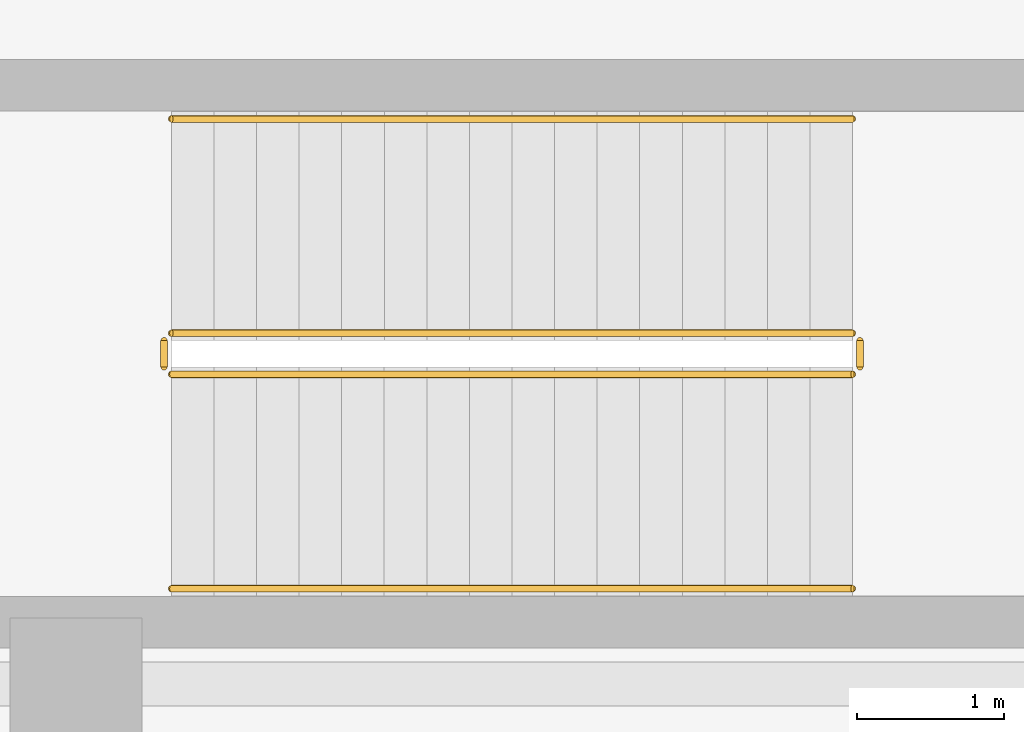
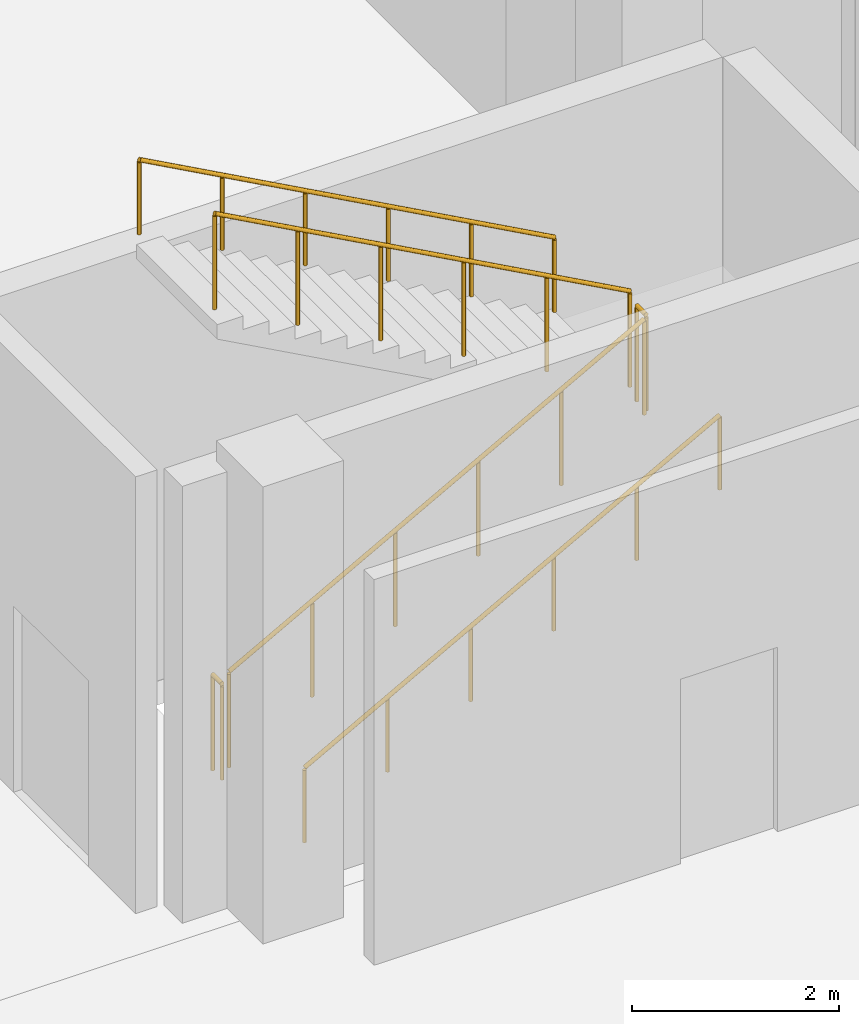
# One storey, part 90 of 95: 6 railings.
"""IFC4 building model written with IfcOpenShell, lengths in metres."""

from ifc_helpers import new_model, si_unit, direction, frame, origin, origin_2d, place, context, subcontext, project, spatial, circle, extrude, material, type_object, element, save


model = new_model("IFC4")

# Units and contexts
model_context = context("Model", 3, precision=1e-05, world=origin(), true_north=direction((0.0, 1.0)))
body_context = subcontext(model_context, "Body", "Model", "MODEL_VIEW")
ifc_project = project(units=[si_unit("LENGTHUNIT", "METRE"), si_unit("AREAUNIT", "SQUARE_METRE"), si_unit("VOLUMEUNIT", "CUBIC_METRE"), si_unit("PLANEANGLEUNIT", "RADIAN"), si_unit("MASSUNIT", "GRAM", prefix="KILO")], contexts=[model_context])

# Site, building, storey
site_placement = place(None, origin())
site = spatial("IfcSite", under=ifc_project, at=site_placement, CompositionType="ELEMENT")
building_placement = place(site_placement, origin())
building = spatial("IfcBuilding", under=site, at=building_placement, Name="Shengluoqiao Park Theatre", CompositionType="ELEMENT")
storey_placement = place(building_placement, origin())
storey = spatial("IfcBuildingStorey", under=building, at=storey_placement, Name="L00", CompositionType="ELEMENT", Elevation=0.0)

# Railings
ifc_material_1 = material(Name="Painted steel", Category="steel")
railing_type_1 = type_object("IfcRailingType", Name="INT-RL-STGRD", PredefinedType="GUARDRAIL", material=ifc_material_1)
railing_1_placement = place(storey_placement, frame((104.64990234375, 86.110107421875, 0.158935546875)))
element("IfcRailing", 1, at=railing_1_placement, inside=storey, type_object=railing_type_1, Name="L00 ST-05 stair guard 1", PredefinedType="GUARDRAIL", context=body_context, shape_type="SweptSolid", body=[
    extrude(circle(Radius=0.02392578125, at=origin_2d()), frame((0.0, 0.0, 1.1259765625), z_axis=(0.877097193626, 0.0, 0.480312932298), x_axis=(0.0, 1.0, 0.0)), (0.0, 0.0, 1.0), 5.290283203125),
    extrude(circle(Radius=0.02099609375, at=origin_2d()), origin(), (0.0, 0.0, 1.0), 1.101806640625),
    extrude(circle(Radius=0.02099609375, at=origin_2d()), frame((0.927978515625, 0.0, 0.50830078125)), (0.0, 0.0, 1.0), 1.101806640625),
    extrude(circle(Radius=0.02099609375, at=origin_2d()), frame((1.85595703125, 0.0, 1.016357421875)), (0.0, 0.0, 1.0), 1.101806640625),
    extrude(circle(Radius=0.02099609375, at=origin_2d()), frame((2.7841796875, 0.0, 1.524658203125)), (0.0, 0.0, 1.0), 1.101806640625),
    extrude(circle(Radius=0.02099609375, at=origin_2d()), frame((3.712158203125, 0.0, 2.03271484375)), (0.0, 0.0, 1.0), 1.101806640625),
    extrude(circle(Radius=0.02099609375, at=origin_2d()), frame((4.64013671875, 0.0, 2.541015625)), (0.0, 0.0, 1.0), 1.101806640625),
])
railing_2_placement = place(storey_placement, frame((109.340087890625, 86.159912109375, 2.699951171875)))
element("IfcRailing", 2, at=railing_2_placement, inside=storey, type_object=railing_type_1, Name="L00 ST-05 stair guard 2", PredefinedType="GUARDRAIL", context=body_context, shape_type="SweptSolid", body=[
    extrude(circle(Radius=0.02392578125, at=origin_2d()), frame((0.0, 0.0, 1.1259765625), z_axis=(0.0, 1.0, 0.0), x_axis=(-1.0, 0.0, 0.0)), (0.0, 0.0, 1.0), 0.18017578125),
    extrude(circle(Radius=0.02099609375, at=origin_2d()), origin(), (0.0, 0.0, 1.0), 1.101806640625),
    extrude(circle(Radius=0.02099609375, at=origin_2d()), frame((0.0, 0.18017578125, 0.0)), (0.0, 0.0, 1.0), 1.101806640625),
])
railing_3_placement = place(storey_placement, frame((109.2900390625, 86.389892578125, 2.85888671875)))
element("IfcRailing", 3, at=railing_3_placement, inside=storey, type_object=railing_type_1, Name="L00 ST-05 stair guard 3", PredefinedType="GUARDRAIL", context=body_context, shape_type="SweptSolid", body=[
    extrude(circle(Radius=0.02392578125, at=origin_2d()), frame((0.0, 0.0, 1.1259765625), z_axis=(-0.877097193626, 0.0, 0.480312932298), x_axis=(0.0, -1.0, 0.0)), (0.0, 0.0, 1.0), 5.290283203125),
    extrude(circle(Radius=0.02099609375, at=origin_2d()), origin(), (0.0, 0.0, 1.0), 1.101806640625),
    extrude(circle(Radius=0.02099609375, at=origin_2d()), frame((-0.927978515625, 0.0, 0.50830078125)), (0.0, 0.0, 1.0), 1.101806640625),
    extrude(circle(Radius=0.02099609375, at=origin_2d()), frame((-1.85595703125, 0.0, 1.016357421875)), (0.0, 0.0, 1.0), 1.101806640625),
    extrude(circle(Radius=0.02099609375, at=origin_2d()), frame((-2.7841796875, 0.0, 1.524658203125)), (0.0, 0.0, 1.0), 1.101806640625),
    extrude(circle(Radius=0.02099609375, at=origin_2d()), frame((-3.712158203125, 0.0, 2.03271484375)), (0.0, 0.0, 1.0), 1.101806640625),
    extrude(circle(Radius=0.02099609375, at=origin_2d()), frame((-4.64013671875, 0.0, 2.541015625)), (0.0, 0.0, 1.0), 1.101806640625),
])
railing_4_placement = place(storey_placement, frame((104.60009765625, 86.159912109375, 0.0)))
element("IfcRailing", 4, at=railing_4_placement, inside=storey, type_object=railing_type_1, Name="L00 ST-05 stair guard 4", PredefinedType="GUARDRAIL", context=body_context, shape_type="SweptSolid", body=[
    extrude(circle(Radius=0.02392578125, at=origin_2d()), frame((0.0, 0.0, 1.1259765625), z_axis=(0.0, 1.0, 0.0), x_axis=(-1.0, 0.0, 0.0)), (0.0, 0.0, 1.0), 0.18017578125),
    extrude(circle(Radius=0.02099609375, at=origin_2d()), origin(), (0.0, 0.0, 1.0), 1.101806640625),
    extrude(circle(Radius=0.02099609375, at=origin_2d()), frame((0.0, 0.18017578125, 0.0)), (0.0, 0.0, 1.0), 1.101806640625),
])
ifc_material_2 = material(Name="Stainless steel 304", Category="steel")
railing_type_2 = type_object("IfcRailingType", Name="INT-RL-STHR", PredefinedType="HANDRAIL", material=ifc_material_2)
railing_5_placement = place(storey_placement, frame((104.64990234375, 84.64990234375, 0.158935546875)))
element("IfcRailing", 5, at=railing_5_placement, inside=storey, type_object=railing_type_2, Name="L00 ST-05 stair handrail 1", PredefinedType="HANDRAIL", context=body_context, shape_type="SweptSolid", body=[
    extrude(circle(Radius=0.02392578125, at=origin_2d()), frame((0.0, 0.0, 0.8759765625), z_axis=(0.877097193626, 0.0, 0.480312932298), x_axis=(0.0, 1.0, 0.0)), (0.0, 0.0, 1.0), 5.290283203125),
    extrude(circle(Radius=0.02099609375, at=origin_2d()), origin(), (0.0, 0.0, 1.0), 0.851806640625),
    extrude(circle(Radius=0.02099609375, at=origin_2d()), frame((0.927978515625, 0.0, 0.50830078125)), (0.0, 0.0, 1.0), 0.851806640625),
    extrude(circle(Radius=0.02099609375, at=origin_2d()), frame((1.85595703125, 0.0, 1.016357421875)), (0.0, 0.0, 1.0), 0.851806640625),
    extrude(circle(Radius=0.02099609375, at=origin_2d()), frame((2.7841796875, 0.0, 1.524658203125)), (0.0, 0.0, 1.0), 0.851806640625),
    extrude(circle(Radius=0.02099609375, at=origin_2d()), frame((3.712158203125, 0.0, 2.03271484375)), (0.0, 0.0, 1.0), 0.851806640625),
    extrude(circle(Radius=0.02099609375, at=origin_2d()), frame((4.64013671875, 0.0, 2.541015625)), (0.0, 0.0, 1.0), 0.851806640625),
])
railing_6_placement = place(storey_placement, frame((109.2900390625, 87.85009765625, 2.85888671875)))
element("IfcRailing", 6, at=railing_6_placement, inside=storey, type_object=railing_type_2, Name="L00 ST-05 stair handrail 2", PredefinedType="HANDRAIL", context=body_context, shape_type="SweptSolid", body=[
    extrude(circle(Radius=0.02392578125, at=origin_2d()), frame((0.0, 0.0, 0.8759765625), z_axis=(-0.877097193626, 0.0, 0.480312932298), x_axis=(0.0, -1.0, 0.0)), (0.0, 0.0, 1.0), 5.290283203125),
    extrude(circle(Radius=0.02099609375, at=origin_2d()), origin(), (0.0, 0.0, 1.0), 0.851806640625),
    extrude(circle(Radius=0.02099609375, at=origin_2d()), frame((-0.927978515625, 0.0, 0.50830078125)), (0.0, 0.0, 1.0), 0.851806640625),
    extrude(circle(Radius=0.02099609375, at=origin_2d()), frame((-1.85595703125, 0.0, 1.016357421875)), (0.0, 0.0, 1.0), 0.851806640625),
    extrude(circle(Radius=0.02099609375, at=origin_2d()), frame((-2.7841796875, 0.0, 1.524658203125)), (0.0, 0.0, 1.0), 0.851806640625),
    extrude(circle(Radius=0.02099609375, at=origin_2d()), frame((-3.712158203125, 0.0, 2.03271484375)), (0.0, 0.0, 1.0), 0.851806640625),
    extrude(circle(Radius=0.02099609375, at=origin_2d()), frame((-4.64013671875, 0.0, 2.541015625)), (0.0, 0.0, 1.0), 0.851806640625),
])

save(model, "model.ifc")
